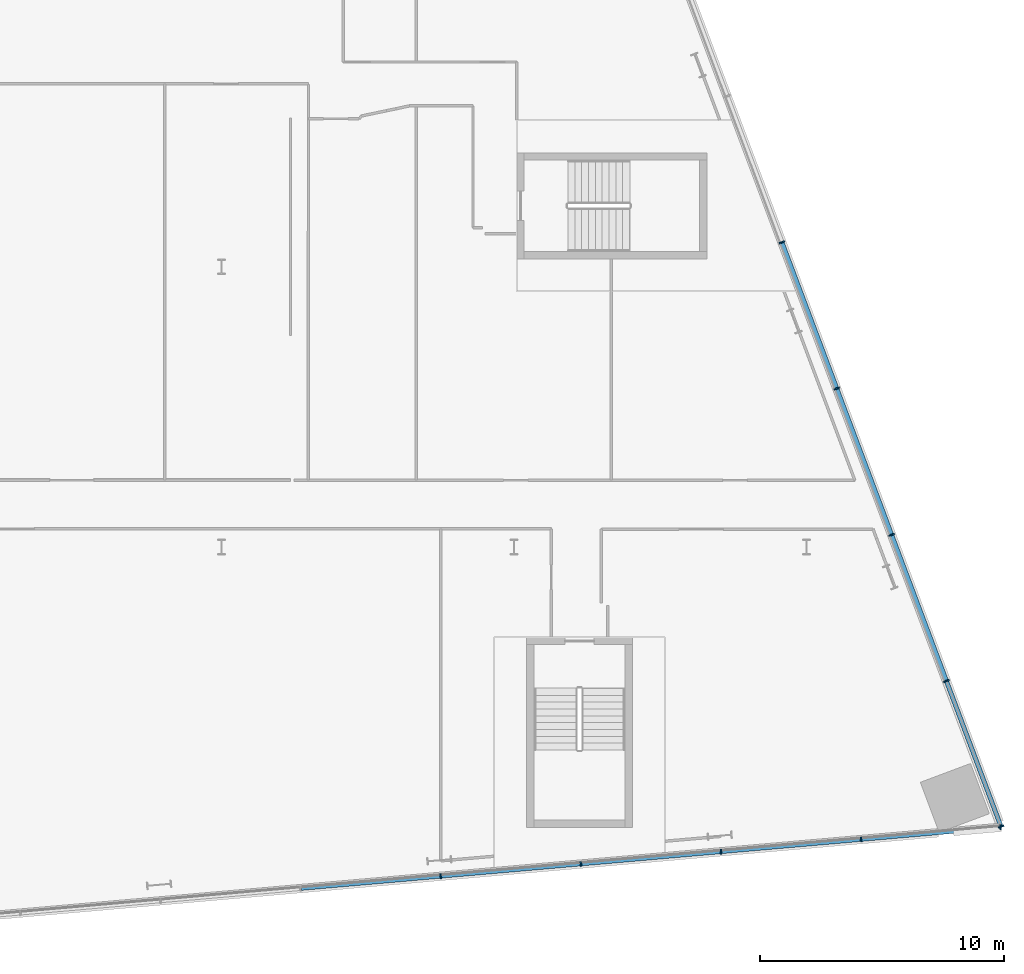
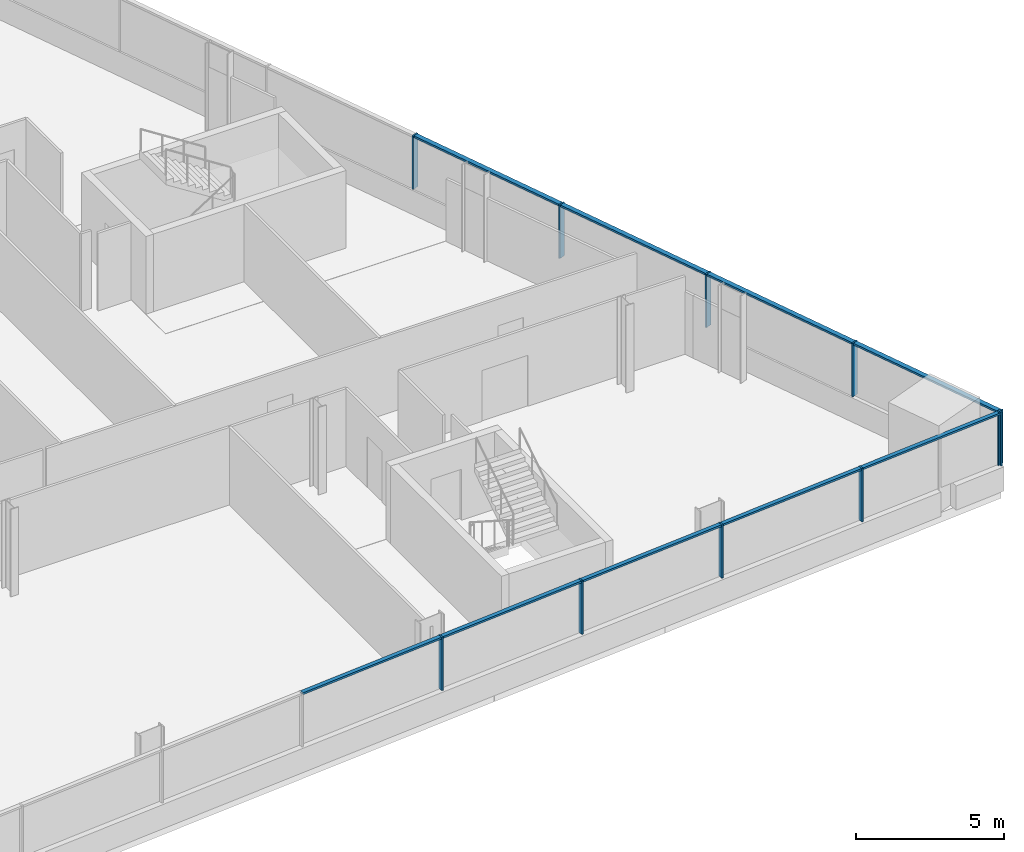
# One storey, part 8 of 24: 19 members, 2 elements without a shape of their own.
"""IFC4 building model written with IfcOpenShell, lengths in metres."""

from ifc_helpers import new_model, si_unit, direction, frame, origin, origin_2d, place, context, subcontext, project, spatial, rectangle, extrude, material, material_profile, profile_set, type_object, element, aggregate, save


model = new_model("IFC4")

# Units and contexts
model_context = context("Model", 3, precision=1e-05, world=origin(), true_north=direction((0.0, 1.0)))
body_context = subcontext(model_context, "Body", "Model", "MODEL_VIEW")
ifc_project = project(units=[si_unit("LENGTHUNIT", "METRE"), si_unit("AREAUNIT", "SQUARE_METRE"), si_unit("VOLUMEUNIT", "CUBIC_METRE"), si_unit("PLANEANGLEUNIT", "RADIAN"), si_unit("MASSUNIT", "GRAM", prefix="KILO")], contexts=[model_context])

# Site, building, storey
site_placement = place(None, origin())
site = spatial("IfcSite", under=ifc_project, at=site_placement, CompositionType="ELEMENT")
building_placement = place(site_placement, origin())
building = spatial("IfcBuilding", under=site, at=building_placement, Name="Wharfspan Tower", CompositionType="ELEMENT")
storey_placement = place(building_placement, frame((0.0, 0.0, 41.5)))
storey = spatial("IfcBuildingStorey", under=building, at=storey_placement, Name="L06", CompositionType="ELEMENT", Elevation=41.5)

# Curtain wall, members
ifc_material = material(Name="Aluminium 6063-T6", Category="aluminium")
curtain_wall_type_1 = type_object("IfcCurtainWallType", Name="CURTAIN WALL FACETED FRONT", PredefinedType="NOTDEFINED", material=ifc_material)
curtain_wall_1_placement = place(storey_placement, origin())
curtain_wall_1 = element("IfcCurtainWall", 1, at=curtain_wall_1_placement, inside=storey, type_object=curtain_wall_type_1, Name="Curtain wall S2", PredefinedType="NOTDEFINED")
ifc_material_profile_1 = material_profile(ifc_material, rectangle(XDim=0.199951, YDim=0.060059, at=origin_2d()))
ifc_profile_set_1 = profile_set([ifc_material_profile_1], Name="Aluminium 6063-T6")
member_type_1 = type_object("IfcMemberType", Name="MULLION FACETED FRONT 60x200", PredefinedType="MULLION", material=ifc_profile_set_1)
member_1_placement = place(storey_placement, frame((69.0, -2.012207, 1.0), z_axis=(0.0, 0.0, 1.0), x_axis=(-0.087156, 0.996197, 0.0)))
member_1 = element("IfcMember", 2, at=member_1_placement, type_object=member_type_1, Name="Curtain wall S2 mullion 5", PredefinedType="MULLION", context=body_context, shape_type="SweptSolid", body=[
    extrude(rectangle(XDim=0.199951, YDim=0.060059, at=origin_2d()), origin(), (0.0, 0.0, 1.0), 2.199951),
])
member_2_placement = place(storey_placement, frame((74.75, -1.509277, 1.0), z_axis=(0.0, 0.0, 1.0), x_axis=(-0.087156, 0.996197, 0.0)))
member_2 = element("IfcMember", 3, at=member_2_placement, type_object=member_type_1, Name="Curtain wall S2 mullion 6", PredefinedType="MULLION", context=body_context, shape_type="SweptSolid", body=[
    extrude(rectangle(XDim=0.199951, YDim=0.060059, at=origin_2d()), origin(), (0.0, 0.0, 1.0), 2.199951),
])
member_3_placement = place(storey_placement, frame((80.5, -1.006104, 1.0), z_axis=(0.0, 0.0, 1.0), x_axis=(-0.087156, 0.996197, 0.0)))
member_3 = element("IfcMember", 4, at=member_3_placement, type_object=member_type_1, Name="Curtain wall S2 mullion 7", PredefinedType="MULLION", context=body_context, shape_type="SweptSolid", body=[
    extrude(rectangle(XDim=0.199951, YDim=0.060059, at=origin_2d()), origin(), (0.0, 0.0, 1.0), 2.199951),
])
member_4_placement = place(storey_placement, frame((86.25, -0.503174, 1.0), z_axis=(0.0, 0.0, 1.0), x_axis=(-0.087156, 0.996197, 0.0)))
member_4 = element("IfcMember", 5, at=member_4_placement, type_object=member_type_1, Name="Curtain wall S2 mullion 8", PredefinedType="MULLION", context=body_context, shape_type="SweptSolid", body=[
    extrude(rectangle(XDim=0.199951, YDim=0.060059, at=origin_2d()), origin(), (0.0, 0.0, 1.0), 2.199951),
])
member_5_placement = place(storey_placement, frame((91.970215, -0.002686, 1.0), z_axis=(0.0, 0.0, 1.0), x_axis=(-0.087156, 0.996197, 0.0)))
member_5 = element("IfcMember", 6, at=member_5_placement, type_object=member_type_1, Name="Curtain wall S2 mullion 9", PredefinedType="MULLION", context=body_context, shape_type="SweptSolid", body=[
    extrude(rectangle(XDim=0.199951, YDim=0.060059, at=origin_2d()), origin(), (0.0, 0.0, 1.0), 2.199951),
])

curtain_wall_type_2 = type_object("IfcCurtainWallType", Name="CURTAIN WALL PROW AND END", PredefinedType="NOTDEFINED", material=ifc_material)
curtain_wall_2_placement = place(storey_placement, origin())
curtain_wall_2 = element("IfcCurtainWall", 7, at=curtain_wall_2_placement, inside=storey, type_object=curtain_wall_type_2, Name="Curtain wall E", PredefinedType="NOTDEFINED")
ifc_material_profile_2 = material_profile(ifc_material, rectangle(XDim=0.23999, YDim=0.060059, at=origin_2d()))
ifc_profile_set_2 = profile_set([ifc_material_profile_2], Name="Aluminium 6063-T6")
member_type_2 = type_object("IfcMemberType", Name="MULLION PROW AND END 60x240", PredefinedType="MULLION", material=ifc_profile_set_2)
member_6_placement = place(storey_placement, frame((91.989502, 0.028076, 1.0), z_axis=(0.0, 0.0, 1.0), x_axis=(-0.936328, -0.351123, 0.0)))
member_6 = element("IfcMember", 8, at=member_6_placement, type_object=member_type_2, Name="Curtain wall E mullion 1", PredefinedType="MULLION", context=body_context, shape_type="SweptSolid", body=[
    extrude(rectangle(XDim=0.23999, YDim=0.060059, at=origin_2d()), origin(), (0.0, 0.0, 1.0), 2.199951),
])
member_7_placement = place(storey_placement, frame((89.75, 6.0, 1.0), z_axis=(0.0, 0.0, 1.0), x_axis=(-0.936328, -0.351123, 0.0)))
member_7 = element("IfcMember", 9, at=member_7_placement, type_object=member_type_2, Name="Curtain wall E mullion 2", PredefinedType="MULLION", context=body_context, shape_type="SweptSolid", body=[
    extrude(rectangle(XDim=0.23999, YDim=0.060059, at=origin_2d()), origin(), (0.0, 0.0, 1.0), 2.199951),
])
member_8_placement = place(storey_placement, frame((87.5, 12.0, 1.0), z_axis=(0.0, 0.0, 1.0), x_axis=(-0.936328, -0.351123, 0.0)))
member_8 = element("IfcMember", 10, at=member_8_placement, type_object=member_type_2, Name="Curtain wall E mullion 3", PredefinedType="MULLION", context=body_context, shape_type="SweptSolid", body=[
    extrude(rectangle(XDim=0.23999, YDim=0.060059, at=origin_2d()), origin(), (0.0, 0.0, 1.0), 2.199951),
])
member_9_placement = place(storey_placement, frame((85.25, 18.0, 1.0), z_axis=(0.0, 0.0, 1.0), x_axis=(-0.936328, -0.351123, 0.0)))
member_9 = element("IfcMember", 11, at=member_9_placement, type_object=member_type_2, Name="Curtain wall E mullion 4", PredefinedType="MULLION", context=body_context, shape_type="SweptSolid", body=[
    extrude(rectangle(XDim=0.23999, YDim=0.060059, at=origin_2d()), origin(), (0.0, 0.0, 1.0), 2.199951),
])
member_10_placement = place(storey_placement, frame((83.0, 24.0, 1.0), z_axis=(0.0, 0.0, 1.0), x_axis=(-0.936328, -0.351123, 0.0)))
member_10 = element("IfcMember", 12, at=member_10_placement, type_object=member_type_2, Name="Curtain wall E mullion 5", PredefinedType="MULLION", context=body_context, shape_type="SweptSolid", body=[
    extrude(rectangle(XDim=0.23999, YDim=0.060059, at=origin_2d()), origin(), (0.0, 0.0, 1.0), 2.199951),
])

# Member
ifc_material_profile_3 = material_profile(ifc_material, rectangle(XDim=0.159912, YDim=0.080078, at=origin_2d()))
ifc_profile_set_3 = profile_set([ifc_material_profile_3], Name="Aluminium 6063-T6")
member_type_3 = type_object("IfcMemberType", Name="TRANSOM FACETED FRONT 80x160", PredefinedType="USERDEFINED", material=ifc_profile_set_3)
member_11_placement = place(storey_placement, frame((63.279785, -2.512695, 3.159912), z_axis=(0.996195, 0.087148, 0.0), x_axis=(-0.087148, 0.996195, 0.0)))
member_11 = element("IfcMember", 13, at=member_11_placement, type_object=member_type_3, Name="Curtain wall S2 transom 4", ObjectType="TRANSOM", PredefinedType="USERDEFINED", context=body_context, shape_type="SweptSolid", body=[
    extrude(rectangle(XDim=0.159912, YDim=0.080078, at=origin_2d()), origin(), (0.0, 0.0, 1.0), 5.712158),
])

member_12_placement = place(storey_placement, frame((69.029785, -2.009521, 3.159912), z_axis=(0.996195, 0.087148, 0.0), x_axis=(-0.087148, 0.996195, 0.0)))
member_12 = element("IfcMember", 14, at=member_12_placement, type_object=member_type_3, Name="Curtain wall S2 transom 5", ObjectType="TRANSOM", PredefinedType="USERDEFINED", context=body_context, shape_type="SweptSolid", body=[
    extrude(rectangle(XDim=0.159912, YDim=0.080078, at=origin_2d()), origin(), (0.0, 0.0, 1.0), 5.712158),
])

member_13_placement = place(storey_placement, frame((74.779785, -1.506592, 3.159912), z_axis=(0.996195, 0.087148, 0.0), x_axis=(-0.087148, 0.996195, 0.0)))
member_13 = element("IfcMember", 15, at=member_13_placement, type_object=member_type_3, Name="Curtain wall S2 transom 6", ObjectType="TRANSOM", PredefinedType="USERDEFINED", context=body_context, shape_type="SweptSolid", body=[
    extrude(rectangle(XDim=0.159912, YDim=0.080078, at=origin_2d()), origin(), (0.0, 0.0, 1.0), 5.712158),
])

member_14_placement = place(storey_placement, frame((80.529785, -1.003418, 3.159912), z_axis=(0.996195, 0.087148, 0.0), x_axis=(-0.087148, 0.996195, 0.0)))
member_14 = element("IfcMember", 16, at=member_14_placement, type_object=member_type_3, Name="Curtain wall S2 transom 7", ObjectType="TRANSOM", PredefinedType="USERDEFINED", context=body_context, shape_type="SweptSolid", body=[
    extrude(rectangle(XDim=0.159912, YDim=0.080078, at=origin_2d()), origin(), (0.0, 0.0, 1.0), 5.712158),
])

member_15_placement = place(storey_placement, frame((86.279785, -0.500488, 3.159912), z_axis=(0.996193, 0.08718, 0.0), x_axis=(-0.08718, 0.996193, 0.0)))
member_15 = element("IfcMember", 17, at=member_15_placement, type_object=member_type_3, Name="Curtain wall S2 transom 8", ObjectType="TRANSOM", PredefinedType="USERDEFINED", context=body_context, shape_type="SweptSolid", body=[
    extrude(rectangle(XDim=0.159912, YDim=0.080078, at=origin_2d()), origin(), (0.0, 0.0, 1.0), 5.682129),
])

aggregate(curtain_wall_1, [member_1, member_2, member_3, member_4, member_5, member_11, member_12, member_13, member_14, member_15])

ifc_material_profile_4 = material_profile(ifc_material, rectangle(XDim=0.179932, YDim=0.080078, at=origin_2d()))
ifc_profile_set_4 = profile_set([ifc_material_profile_4], Name="Aluminium 6063-T6")
member_type_4 = type_object("IfcMemberType", Name="TRANSOM PROW AND END 80x180", PredefinedType="USERDEFINED", material=ifc_profile_set_4)
member_16_placement = place(storey_placement, frame((91.979004, 0.056152, 3.159912), z_axis=(-0.351136, 0.936324, 0.0), x_axis=(-0.936324, -0.351136, 0.0)))
member_16 = element("IfcMember", 18, at=member_16_placement, type_object=member_type_4, Name="Curtain wall E transom 1", ObjectType="TRANSOM", PredefinedType="USERDEFINED", context=body_context, shape_type="SweptSolid", body=[
    extrude(rectangle(XDim=0.179932, YDim=0.080078, at=origin_2d()), origin(), (0.0, 0.0, 1.0), 6.318115),
])

member_17_placement = place(storey_placement, frame((89.739502, 6.028076, 3.159912), z_axis=(-0.351132, 0.936326, 0.0), x_axis=(-0.936326, -0.351132, 0.0)))
member_17 = element("IfcMember", 19, at=member_17_placement, type_object=member_type_4, Name="Curtain wall E transom 2", ObjectType="TRANSOM", PredefinedType="USERDEFINED", context=body_context, shape_type="SweptSolid", body=[
    extrude(rectangle(XDim=0.179932, YDim=0.080078, at=origin_2d()), origin(), (0.0, 0.0, 1.0), 6.348145),
])

member_18_placement = place(storey_placement, frame((87.489502, 12.028076, 3.159912), z_axis=(-0.351132, 0.936326, 0.0), x_axis=(-0.936326, -0.351132, 0.0)))
member_18 = element("IfcMember", 20, at=member_18_placement, type_object=member_type_4, Name="Curtain wall E transom 3", ObjectType="TRANSOM", PredefinedType="USERDEFINED", context=body_context, shape_type="SweptSolid", body=[
    extrude(rectangle(XDim=0.179932, YDim=0.080078, at=origin_2d()), origin(), (0.0, 0.0, 1.0), 6.348145),
])

member_19_placement = place(storey_placement, frame((85.239502, 18.028076, 3.159912), z_axis=(-0.351132, 0.936326, 0.0), x_axis=(-0.936326, -0.351132, 0.0)))
member_19 = element("IfcMember", 21, at=member_19_placement, type_object=member_type_4, Name="Curtain wall E transom 4", ObjectType="TRANSOM", PredefinedType="USERDEFINED", context=body_context, shape_type="SweptSolid", body=[
    extrude(rectangle(XDim=0.179932, YDim=0.080078, at=origin_2d()), origin(), (0.0, 0.0, 1.0), 6.348145),
])

aggregate(curtain_wall_2, [member_6, member_7, member_8, member_9, member_10, member_16, member_17, member_18, member_19])

save(model, "model.ifc")
